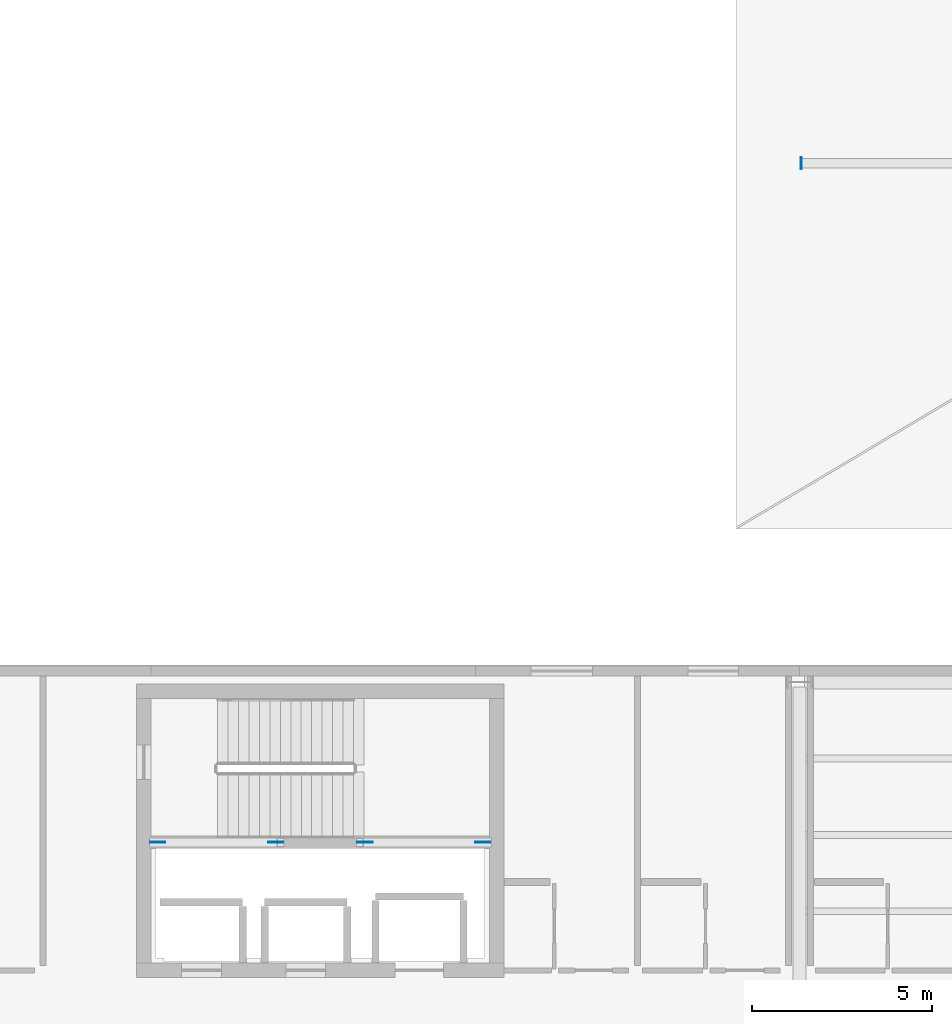
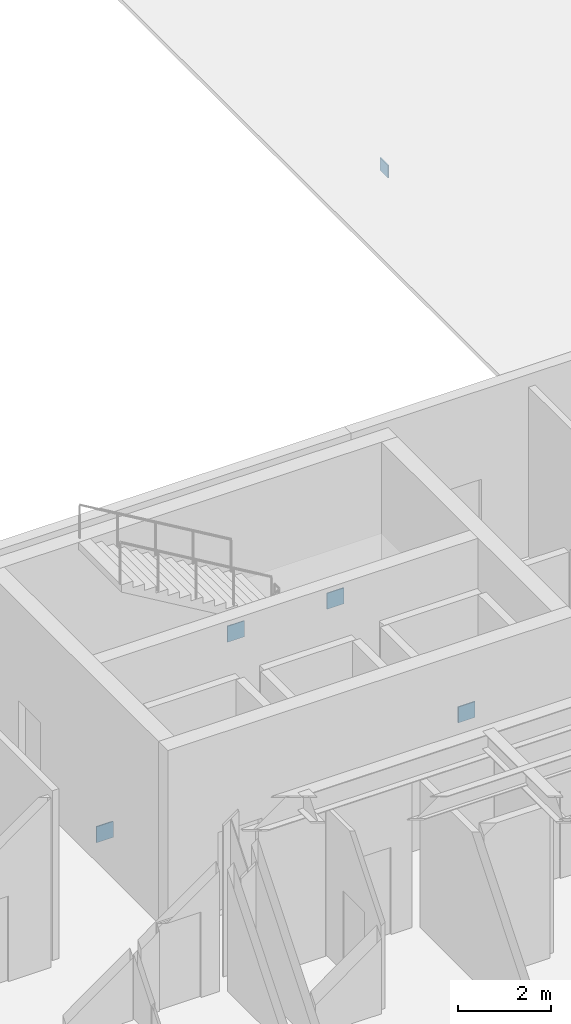
# One storey, part 61 of 91: 5 plates.
"""IFC4 building model written with IfcOpenShell, lengths in metres."""

from ifc_helpers import new_model, si_unit, direction, frame, origin, origin_2d, place, context, subcontext, project, spatial, rectangle, extrude, material, layer, layer_set, type_object, element, save


model = new_model("IFC4")

# Units and contexts
model_context = context("Model", 3, precision=1e-05, world=origin(), true_north=direction((0.0, 1.0)))
body_context = subcontext(model_context, "Body", "Model", "MODEL_VIEW")
ifc_project = project(units=[si_unit("LENGTHUNIT", "METRE"), si_unit("AREAUNIT", "SQUARE_METRE"), si_unit("VOLUMEUNIT", "CUBIC_METRE"), si_unit("PLANEANGLEUNIT", "RADIAN"), si_unit("MASSUNIT", "GRAM", prefix="KILO")], contexts=[model_context])

# Site, building, storey
site_placement = place(None, origin())
site = spatial("IfcSite", under=ifc_project, at=site_placement, CompositionType="ELEMENT")
building_placement = place(site_placement, origin())
building = spatial("IfcBuilding", under=site, at=building_placement, Name="Sollismere Congress Hotel", CompositionType="ELEMENT")
storey_placement = place(building_placement, frame((0.0, 0.0, 10.800048828125)))
storey = spatial("IfcBuildingStorey", under=building, at=storey_placement, Name="L02", CompositionType="ELEMENT", Elevation=10.800048828125)

# Plates
ifc_material = material(Name="Steel ASTM A572 Grade 50", Category="steel")
ifc_layer = layer(ifc_material, 0.02490234375, Name="Steel ASTM A572 Grade 50")
ifc_layer_set = layer_set([ifc_layer], Name="Steel ASTM A572 Grade 50")
plate_type = type_object("IfcPlateType", Name="PL-GS25", PredefinedType="USERDEFINED", material=ifc_layer_set)
plate_placement = place(storey_placement, frame((112.047119140625, 33.199951171875, -0.169921875), z_axis=(0.0, 0.0, 1.0), x_axis=(1.0, 0.0, 0.0)))
element("IfcPlate", 1, at=plate_placement, inside=storey, type_object=plate_type, Name="PLT-SPW-01", ObjectType="GUSSET PLATE", PredefinedType="USERDEFINED", context=body_context, shape_type="SweptSolid", body=[
    extrude(rectangle(XDim=0.02490234375, YDim=0.340087890625, at=origin_2d()), origin(), (0.0, 0.0, 1.0), 0.340087890625),
])
for number, where, z_axis, x_axis, name in (
    (2, (94.18994140625, 14.35009765625, -0.030029296875), (0.0, 0.0, 1.0), (1.0, 0.0, 0.0), "PLT-GBF-BF-005-A"),
    (3, (97.4599609375, 14.35009765625, 4.110107421875), (0.0, 0.0, 1.0), (1.0, 0.0, 0.0), "PLT-GBF-BF-005-B"),
    (4, (103.2099609375, 14.35009765625, -0.030029296875), (0.0, 0.0, 1.0), (1.0, 0.0, 0.0), "PLT-GBF-BF-006-A"),
    (5, (99.93994140625, 14.35009765625, 4.110107421875), (0.0, 0.0, 1.0), (1.0, 0.0, 0.0), "PLT-GBF-BF-006-B"),
):
    element("IfcPlate", number, at=place(storey_placement, frame(where, z_axis=z_axis, x_axis=x_axis)), inside=storey, type_object=plate_type, Name=name, ObjectType="GUSSET PLATE", PredefinedType="USERDEFINED", context=body_context, shape_type="SweptSolid", body=[
        extrude(rectangle(XDim=0.419921875, YDim=0.02490234375, at=origin_2d()), origin(), (0.0, 0.0, 1.0), 0.419921875),
    ])

save(model, "model.ifc")
